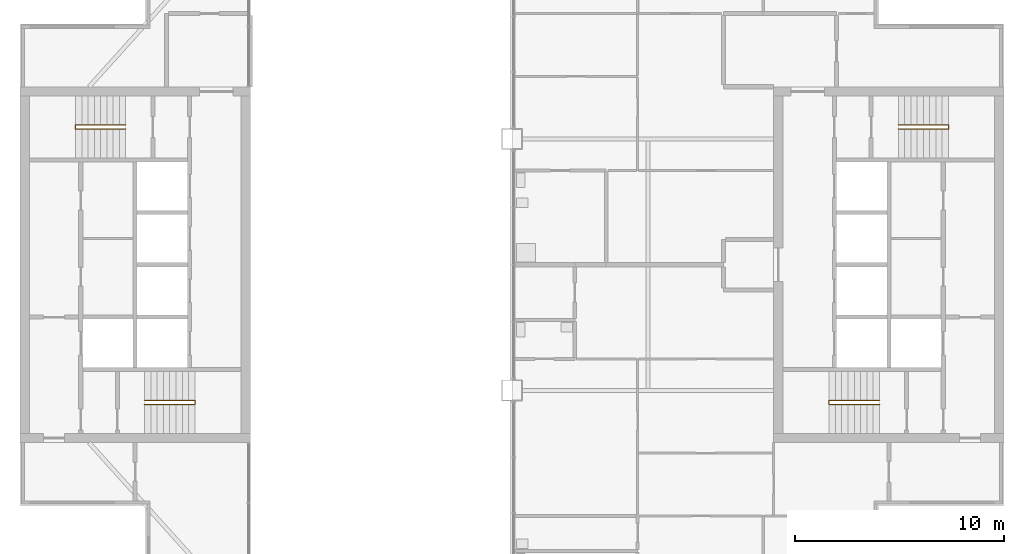
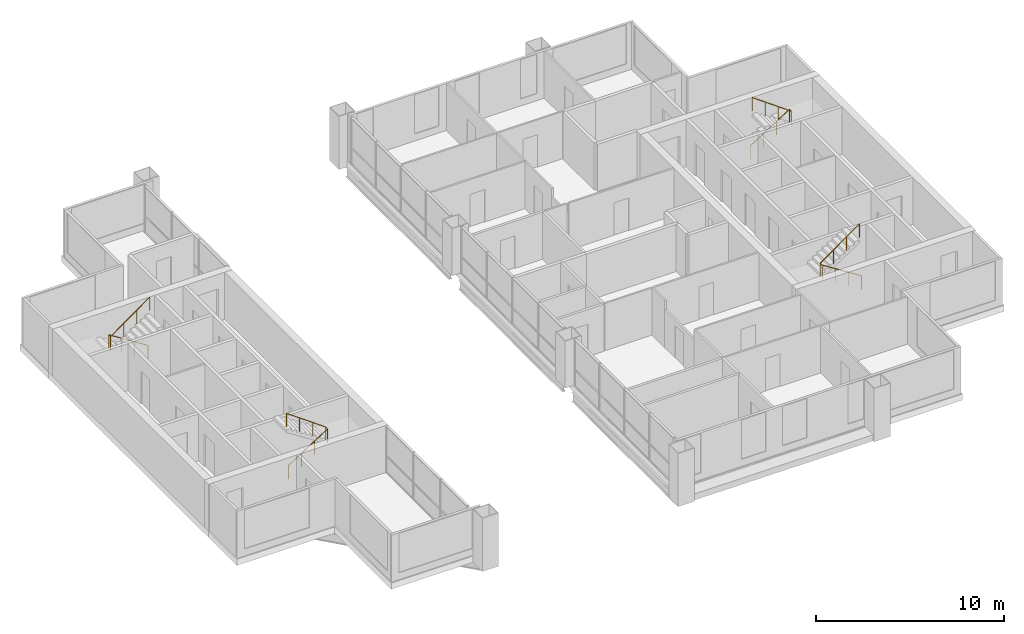
# One storey, part 12 of 13: 4 railings.
"""IFC4 building model written with IfcOpenShell, lengths in metres."""

from ifc_helpers import new_model, si_unit, direction, frame, origin, origin_2d, place, context, subcontext, project, spatial, circle, extrude, material, type_object, element, save


model = new_model("IFC4")

# Units and contexts
model_context = context("Model", 3, precision=1e-05, world=origin(), true_north=direction((0.0, 1.0)))
body_context = subcontext(model_context, "Body", "Model", "MODEL_VIEW")
ifc_project = project(units=[si_unit("LENGTHUNIT", "METRE"), si_unit("AREAUNIT", "SQUARE_METRE"), si_unit("VOLUMEUNIT", "CUBIC_METRE"), si_unit("PLANEANGLEUNIT", "RADIAN"), si_unit("MASSUNIT", "GRAM", prefix="KILO")], contexts=[model_context])

# Site, building, storey
site_placement = place(None, origin())
site = spatial("IfcSite", under=ifc_project, at=site_placement, CompositionType="ELEMENT")
building_placement = place(site_placement, origin())
building = spatial("IfcBuilding", under=site, at=building_placement, Name="Kitamizu Gate Tower and Museum", CompositionType="ELEMENT")
storey_placement = place(building_placement, frame((0.0, 0.0, 252.449951171875)))
storey = spatial("IfcBuildingStorey", under=building, at=storey_placement, Name="L68", CompositionType="ELEMENT", Elevation=252.449951171875)

# Railings
ifc_material = material(Name="Stainless steel SUS304", Category="steel")
railing_type = type_object("IfcRailingType", Name="Stair handrail 900", PredefinedType="HANDRAIL", material=ifc_material)
railing_1_placement = place(storey_placement, frame((18.449951171875, 23.324951171875, 0.191650390625)))
element("IfcRailing", 1, at=railing_1_placement, inside=storey, type_object=railing_type, Name="Stair handrail ST1", PredefinedType="HANDRAIL", context=body_context, shape_type="SweptSolid", body=[
    extrude(circle(Radius=0.02392578125, at=origin_2d()), frame((0.0, 0.0, 0.8759765625), z_axis=(0.842693018954, 0.0, 0.538394349715), x_axis=(0.0, 1.0, 0.0)), (0.0, 0.0, 1.0), 2.84814453125),
    extrude(circle(Radius=0.02392578125, at=origin_2d()), frame((2.400146484375, 0.0, 2.4091796875), z_axis=(0.0, 1.0, 0.0), x_axis=(-1.0, 0.0, 0.0)), (0.0, 0.0, 1.0), 0.199951171875),
    extrude(circle(Radius=0.02392578125, at=origin_2d()), frame((2.400146484375, 0.199951171875, 2.4091796875), z_axis=(-0.812055739374, 0.0, 0.583579879837), x_axis=(0.0, -1.0, 0.0)), (0.0, 0.0, 1.0), 2.95556640625),
    extrude(circle(Radius=0.02099609375, at=origin_2d()), origin(), (0.0, 0.0, 1.0), 0.851806640625),
    extrude(circle(Radius=0.02099609375, at=origin_2d()), frame((0.800048828125, 0.0, 0.51123046875)), (0.0, 0.0, 1.0), 0.851806640625),
    extrude(circle(Radius=0.02099609375, at=origin_2d()), frame((1.60009765625, 0.0, 1.022216796875)), (0.0, 0.0, 1.0), 0.851806640625),
    extrude(circle(Radius=0.02099609375, at=origin_2d()), frame((2.400146484375, 0.0, 1.533447265625)), (0.0, 0.0, 1.0), 0.851806640625),
    extrude(circle(Radius=0.02099609375, at=origin_2d()), frame((2.400146484375, 0.199951171875, 1.533447265625)), (0.0, 0.0, 1.0), 0.851806640625),
    extrude(circle(Radius=0.02099609375, at=origin_2d()), frame((1.60009765625, 0.199951171875, 2.1083984375)), (0.0, 0.0, 1.0), 0.851806640625),
    extrude(circle(Radius=0.02099609375, at=origin_2d()), frame((0.800048828125, 0.199951171875, 2.683349609375)), (0.0, 0.0, 1.0), 0.851806640625),
    extrude(circle(Radius=0.02099609375, at=origin_2d()), frame((0.0, 0.199951171875, 3.25830078125)), (0.0, 0.0, 1.0), 0.851806640625),
])
railing_2_placement = place(storey_placement, frame((17.550048828125, 36.675048828125, 0.191650390625)))
element("IfcRailing", 2, at=railing_2_placement, inside=storey, type_object=railing_type, Name="Stair handrail ST2", PredefinedType="HANDRAIL", context=body_context, shape_type="SweptSolid", body=[
    extrude(circle(Radius=0.02392578125, at=origin_2d()), frame((0.0, 0.0, 0.8759765625), z_axis=(-0.842693018954, 0.0, 0.538394349715), x_axis=(0.0, -1.0, 0.0)), (0.0, 0.0, 1.0), 2.84814453125),
    extrude(circle(Radius=0.02392578125, at=origin_2d()), frame((-2.400146484375, 0.0, 2.4091796875), z_axis=(0.0, -1.0, 0.0), x_axis=(1.0, 0.0, 0.0)), (0.0, 0.0, 1.0), 0.199951171875),
    extrude(circle(Radius=0.02392578125, at=origin_2d()), frame((-2.400146484375, -0.199951171875, 2.4091796875), z_axis=(0.812055739374, 0.0, 0.583579879837), x_axis=(0.0, 1.0, 0.0)), (0.0, 0.0, 1.0), 2.95556640625),
    extrude(circle(Radius=0.02099609375, at=origin_2d()), origin(), (0.0, 0.0, 1.0), 0.851806640625),
    extrude(circle(Radius=0.02099609375, at=origin_2d()), frame((-0.800048828125, 0.0, 0.51123046875)), (0.0, 0.0, 1.0), 0.851806640625),
    extrude(circle(Radius=0.02099609375, at=origin_2d()), frame((-1.60009765625, 0.0, 1.022216796875)), (0.0, 0.0, 1.0), 0.851806640625),
    extrude(circle(Radius=0.02099609375, at=origin_2d()), frame((-2.400146484375, 0.0, 1.533447265625)), (0.0, 0.0, 1.0), 0.851806640625),
    extrude(circle(Radius=0.02099609375, at=origin_2d()), frame((-2.400146484375, -0.199951171875, 1.533447265625)), (0.0, 0.0, 1.0), 0.851806640625),
    extrude(circle(Radius=0.02099609375, at=origin_2d()), frame((-1.60009765625, -0.199951171875, 2.1083984375)), (0.0, 0.0, 1.0), 0.851806640625),
    extrude(circle(Radius=0.02099609375, at=origin_2d()), frame((-0.800048828125, -0.199951171875, 2.683349609375)), (0.0, 0.0, 1.0), 0.851806640625),
    extrude(circle(Radius=0.02099609375, at=origin_2d()), frame((0.0, -0.199951171875, 3.25830078125)), (0.0, 0.0, 1.0), 0.851806640625),
])
railing_3_placement = place(storey_placement, frame((53.550048828125, 23.324951171875, 0.191650390625)))
element("IfcRailing", 3, at=railing_3_placement, inside=storey, type_object=railing_type, Name="Stair handrail ST3", PredefinedType="HANDRAIL", context=body_context, shape_type="SweptSolid", body=[
    extrude(circle(Radius=0.02392578125, at=origin_2d()), frame((0.0, 0.0, 0.8759765625), z_axis=(-0.842693018954, 0.0, 0.538394349715), x_axis=(0.0, -1.0, 0.0)), (0.0, 0.0, 1.0), 2.84814453125),
    extrude(circle(Radius=0.02392578125, at=origin_2d()), frame((-2.400146484375, 0.0, 2.4091796875), z_axis=(0.0, 1.0, 0.0), x_axis=(-1.0, 0.0, 0.0)), (0.0, 0.0, 1.0), 0.199951171875),
    extrude(circle(Radius=0.02392578125, at=origin_2d()), frame((-2.400146484375, 0.199951171875, 2.4091796875), z_axis=(0.812055739374, 0.0, 0.583579879837), x_axis=(0.0, 1.0, 0.0)), (0.0, 0.0, 1.0), 2.95556640625),
    extrude(circle(Radius=0.02099609375, at=origin_2d()), origin(), (0.0, 0.0, 1.0), 0.851806640625),
    extrude(circle(Radius=0.02099609375, at=origin_2d()), frame((-0.800048828125, 0.0, 0.51123046875)), (0.0, 0.0, 1.0), 0.851806640625),
    extrude(circle(Radius=0.02099609375, at=origin_2d()), frame((-1.60009765625, 0.0, 1.022216796875)), (0.0, 0.0, 1.0), 0.851806640625),
    extrude(circle(Radius=0.02099609375, at=origin_2d()), frame((-2.400146484375, 0.0, 1.533447265625)), (0.0, 0.0, 1.0), 0.851806640625),
    extrude(circle(Radius=0.02099609375, at=origin_2d()), frame((-2.400146484375, 0.199951171875, 1.533447265625)), (0.0, 0.0, 1.0), 0.851806640625),
    extrude(circle(Radius=0.02099609375, at=origin_2d()), frame((-1.60009765625, 0.199951171875, 2.1083984375)), (0.0, 0.0, 1.0), 0.851806640625),
    extrude(circle(Radius=0.02099609375, at=origin_2d()), frame((-0.800048828125, 0.199951171875, 2.683349609375)), (0.0, 0.0, 1.0), 0.851806640625),
    extrude(circle(Radius=0.02099609375, at=origin_2d()), frame((0.0, 0.199951171875, 3.25830078125)), (0.0, 0.0, 1.0), 0.851806640625),
])
railing_4_placement = place(storey_placement, frame((54.449951171875, 36.675048828125, 0.191650390625)))
element("IfcRailing", 4, at=railing_4_placement, inside=storey, type_object=railing_type, Name="Stair handrail ST4", PredefinedType="HANDRAIL", context=body_context, shape_type="SweptSolid", body=[
    extrude(circle(Radius=0.02392578125, at=origin_2d()), frame((0.0, 0.0, 0.8759765625), z_axis=(0.842693018954, 0.0, 0.538394349715), x_axis=(0.0, 1.0, 0.0)), (0.0, 0.0, 1.0), 2.84814453125),
    extrude(circle(Radius=0.02392578125, at=origin_2d()), frame((2.400146484375, 0.0, 2.4091796875), z_axis=(0.0, -1.0, 0.0), x_axis=(1.0, 0.0, 0.0)), (0.0, 0.0, 1.0), 0.199951171875),
    extrude(circle(Radius=0.02392578125, at=origin_2d()), frame((2.400146484375, -0.199951171875, 2.4091796875), z_axis=(-0.812055739374, 0.0, 0.583579879837), x_axis=(0.0, -1.0, 0.0)), (0.0, 0.0, 1.0), 2.95556640625),
    extrude(circle(Radius=0.02099609375, at=origin_2d()), origin(), (0.0, 0.0, 1.0), 0.851806640625),
    extrude(circle(Radius=0.02099609375, at=origin_2d()), frame((0.800048828125, 0.0, 0.51123046875)), (0.0, 0.0, 1.0), 0.851806640625),
    extrude(circle(Radius=0.02099609375, at=origin_2d()), frame((1.60009765625, 0.0, 1.022216796875)), (0.0, 0.0, 1.0), 0.851806640625),
    extrude(circle(Radius=0.02099609375, at=origin_2d()), frame((2.400146484375, 0.0, 1.533447265625)), (0.0, 0.0, 1.0), 0.851806640625),
    extrude(circle(Radius=0.02099609375, at=origin_2d()), frame((2.400146484375, -0.199951171875, 1.533447265625)), (0.0, 0.0, 1.0), 0.851806640625),
    extrude(circle(Radius=0.02099609375, at=origin_2d()), frame((1.60009765625, -0.199951171875, 2.1083984375)), (0.0, 0.0, 1.0), 0.851806640625),
    extrude(circle(Radius=0.02099609375, at=origin_2d()), frame((0.800048828125, -0.199951171875, 2.683349609375)), (0.0, 0.0, 1.0), 0.851806640625),
    extrude(circle(Radius=0.02099609375, at=origin_2d()), frame((0.0, -0.199951171875, 3.25830078125)), (0.0, 0.0, 1.0), 0.851806640625),
])

save(model, "model.ifc")
